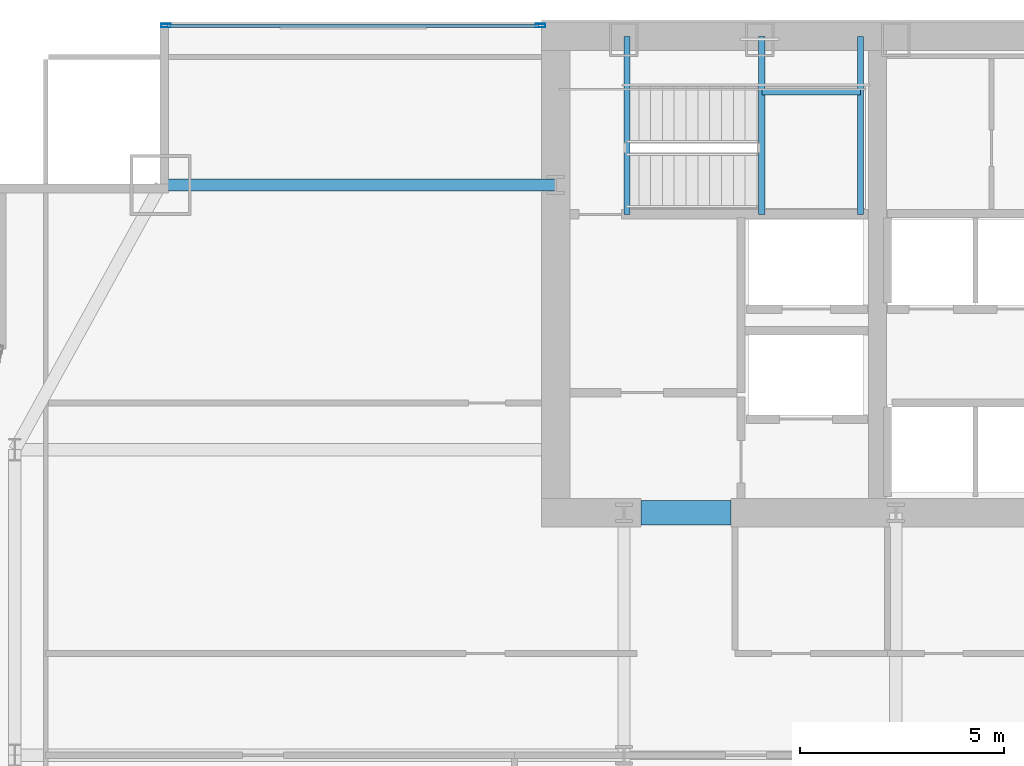
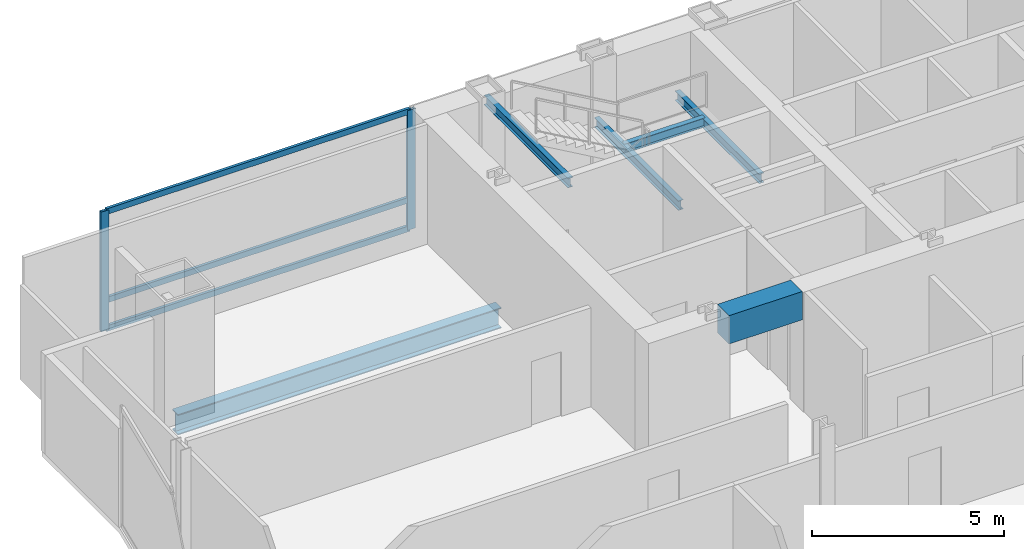
# One storey, part 18 of 34: 6 beams, 5 members, 1 element without a shape of its own.
"""IFC4 building model written with IfcOpenShell, lengths in metres."""

from ifc_helpers import new_model, si_unit, direction, frame, origin, origin_2d, place, context, subcontext, project, spatial, rectangle, hollow_rectangle, i_section, extrude, material, material_profile, profile_set, type_object, element, aggregate, save


model = new_model("IFC4")

# Units and contexts
model_context = context("Model", 3, precision=1e-05, world=origin(), true_north=direction((0.0, 1.0)))
body_context = subcontext(model_context, "Body", "Model", "MODEL_VIEW")
ifc_project = project(units=[si_unit("LENGTHUNIT", "METRE"), si_unit("AREAUNIT", "SQUARE_METRE"), si_unit("VOLUMEUNIT", "CUBIC_METRE"), si_unit("PLANEANGLEUNIT", "RADIAN"), si_unit("MASSUNIT", "GRAM", prefix="KILO")], contexts=[model_context])

# Site, building, storey
site_placement = place(None, origin())
site = spatial("IfcSite", under=ifc_project, at=site_placement, CompositionType="ELEMENT")
building_placement = place(site_placement, origin())
building = spatial("IfcBuilding", under=site, at=building_placement, Name="Khoronbel Lancet Exchange", CompositionType="ELEMENT")
storey_placement = place(building_placement, frame((0.0, 0.0, 102.60009765625)))
storey = spatial("IfcBuildingStorey", under=building, at=storey_placement, Name="L24", CompositionType="ELEMENT", Elevation=102.60009765625)

# Beams
ifc_material_1 = material(Name="Steel S355", Category="steel")
ifc_material_profile_1 = material_profile(ifc_material_1, i_section(OverallWidth=0.14990234375, OverallDepth=0.300048828125, WebThickness=0.007080078125, FlangeThickness=0.0107421875, at=origin_2d()), Name="IPE 300")
ifc_profile_set_1 = profile_set([ifc_material_profile_1], Name="Steel S355")
beam_type_1 = type_object("IfcBeamType", Name="BM-BJ8", PredefinedType="JOIST", material=ifc_profile_set_1)
for number, where, z_axis, x_axis, name in (
    (1, (21.610107421875, 48.97998046875, 1.64990234375), (0.0, 1.0, 0.0), (-1.0, 0.0, 0.0), "Level L24 stair ST1 landing bearer beam 1"),
    (2, (24.030029296875, 48.97998046875, 1.64990234375), (0.0, 1.0, 0.0), (-1.0, 0.0, 0.0), "Level L24 stair ST1 rear landing bearer beam 1"),
):
    element("IfcBeam", number, at=place(storey_placement, frame(where, z_axis=z_axis, x_axis=x_axis)), inside=storey, type_object=beam_type_1, Name=name, PredefinedType="JOIST", context=body_context, shape_type="SweptSolid", body=[
        extrude(i_section(OverallWidth=0.14990234375, OverallDepth=0.300048828125, WebThickness=0.007080078125, FlangeThickness=0.0107421875, at=origin_2d()), origin(), (0.0, 0.0, 1.0), 4.3701171875),
    ])
beam_1_placement = place(storey_placement, frame((21.610107421875, 51.97998046875, 1.64990234375), z_axis=(1.0, 0.0, 0.0), x_axis=(0.0, 1.0, 0.0)))
element("IfcBeam", 3, at=beam_1_placement, inside=storey, type_object=beam_type_1, Name="Level L24 stair ST1 landing cross trimmer beam 1", PredefinedType="JOIST", context=body_context, shape_type="SweptSolid", body=[
    extrude(i_section(OverallWidth=0.14990234375, OverallDepth=0.300048828125, WebThickness=0.007080078125, FlangeThickness=0.0107421875, at=origin_2d()), origin(), (0.0, 0.0, 1.0), 2.419921875),
])
beam_2_placement = place(storey_placement, frame((18.300048828125, 48.97998046875, 3.52001953125), z_axis=(0.0, 1.0, 0.0), x_axis=(-1.0, 0.0, 0.0)))
element("IfcBeam", 4, at=beam_2_placement, inside=storey, type_object=beam_type_1, Name="Level L24 stair ST1 upper-flight arrival trimmer beam", PredefinedType="JOIST", context=body_context, shape_type="SweptSolid", body=[
    extrude(i_section(OverallWidth=0.14990234375, OverallDepth=0.300048828125, WebThickness=0.007080078125, FlangeThickness=0.0107421875, at=origin_2d()), origin(), (0.0, 0.0, 1.0), 4.3701171875),
])
ifc_material_2 = material(Name="Concrete C80/95", Category="concrete")
ifc_material_profile_2 = material_profile(ifc_material_2, rectangle(XDim=0.60009765625, YDim=0.89990234375, at=origin_2d()), Name="RC 600x900")
ifc_profile_set_2 = profile_set([ifc_material_profile_2], Name="Concrete C80/95")
beam_type_2 = type_object("IfcBeamType", Name="BM-BL1", PredefinedType="LINTEL", material=ifc_profile_set_2)
beam_3_placement = place(storey_placement, frame((18.64990234375, 41.64990234375, 3.349853515625), z_axis=(1.0, 0.0, 0.0), x_axis=(0.0, 1.0, 0.0)))
element("IfcBeam", 5, at=beam_3_placement, inside=storey, type_object=beam_type_2, Name="Level L24 rear core coupling lintel L1", PredefinedType="LINTEL", context=body_context, shape_type="SweptSolid", body=[
    extrude(rectangle(XDim=0.60009765625, YDim=0.89990234375, at=origin_2d()), origin(), (0.0, 0.0, 1.0), 2.2001953125),
])
ifc_material_profile_3 = material_profile(ifc_material_1, i_section(OverallWidth=0.300048828125, OverallDepth=0.64990234375, WebThickness=0.01611328125, FlangeThickness=0.031005859375, at=origin_2d()), Name="HEB 650")
ifc_profile_set_3 = profile_set([ifc_material_profile_3], Name="Steel S355")
beam_type_3 = type_object("IfcBeamType", Name="BM-BSP1", PredefinedType="SPANDREL", material=ifc_profile_set_3)
beam_4_placement = place(storey_placement, frame((6.85009765625, 49.699951171875, -0.505126953125), z_axis=(1.0, 0.0, 0.0), x_axis=(0.0, 1.0, 0.0)))
element("IfcBeam", 6, at=beam_4_placement, inside=storey, type_object=beam_type_3, Name="Level L24 north flank tie spandrel SP22", PredefinedType="SPANDREL", context=body_context, shape_type="SweptSolid", body=[
    extrude(i_section(OverallWidth=0.300048828125, OverallDepth=0.64990234375, WebThickness=0.01611328125, FlangeThickness=0.031005859375, at=origin_2d()), origin(), (0.0, 0.0, 1.0), 9.699951171875),
])

# Curtain wall, members
ifc_material_3 = material(Name="Low-E Solar Control Insulating Glass", Category="glass")
curtain_wall_type = type_object("IfcCurtainWallType", Name="CW-2", PredefinedType="NOTDEFINED", material=ifc_material_3)
curtain_wall_placement = place(storey_placement, origin())
curtain_wall = element("IfcCurtainWall", 7, at=curtain_wall_placement, inside=storey, type_object=curtain_wall_type, Name="Unitised curtain wall CW-L24-NWFLK", PredefinedType="NOTDEFINED")
ifc_material_4 = material(Name="Bronze-Anodised Aluminium 6063-T6", Category="aluminium")
ifc_material_profile_4 = material_profile(ifc_material_4, hollow_rectangle(XDim=0.0849609375, YDim=0.239990234375, WallThickness=0.006103515625, at=origin_2d()), Name="ALU MULLION 85x240")
ifc_profile_set_4 = profile_set([ifc_material_profile_4], Name="Bronze-Anodised Aluminium 6063-T6")
member_type_1 = type_object("IfcMemberType", Name="MEM-CWM1", PredefinedType="MULLION", material=ifc_profile_set_4)
member_1_placement = place(storey_placement, frame((16.177490234375, 53.610107421875, 0.0), z_axis=(0.0, 0.0, 1.0), x_axis=(0.0, -1.0, 0.0)))
member_1 = element("IfcMember", 8, at=member_1_placement, type_object=member_type_1, Name="CW2 mullion 1", PredefinedType="MULLION", context=body_context, shape_type="SweptSolid", body=[
    extrude(hollow_rectangle(XDim=0.0849609375, YDim=0.239990234375, WallThickness=0.006103515625, at=origin_2d()), origin(), (0.0, 0.0, 1.0), 3.7998046875),
])
member_2_placement = place(storey_placement, frame((6.982421875, 53.610107421875, 0.0), z_axis=(0.0, 0.0, 1.0), x_axis=(0.0, -1.0, 0.0)))
member_2 = element("IfcMember", 9, at=member_2_placement, type_object=member_type_1, Name="CW2 mullion 2", PredefinedType="MULLION", context=body_context, shape_type="SweptSolid", body=[
    extrude(hollow_rectangle(XDim=0.0849609375, YDim=0.239990234375, WallThickness=0.006103515625, at=origin_2d()), origin(), (0.0, 0.0, 1.0), 3.7998046875),
])
ifc_material_profile_5 = material_profile(ifc_material_4, hollow_rectangle(XDim=0.0849609375, YDim=0.179931640625, WallThickness=0.0048828125, at=origin_2d()), Name="ALU TRANSOM 85x180")
ifc_profile_set_5 = profile_set([ifc_material_profile_5], Name="Bronze-Anodised Aluminium 6063-T6")
member_type_2 = type_object("IfcMemberType", Name="MEM-CWT1", PredefinedType="USERDEFINED", material=ifc_profile_set_5)
member_3_placement = place(storey_placement, frame((16.135009765625, 53.610107421875, 0.04248046875), z_axis=(-1.0, 0.0, 0.0), x_axis=(0.0, -1.0, 0.0)))
member_3 = element("IfcMember", 10, at=member_3_placement, type_object=member_type_2, Name="CW2 transom 1.1", ObjectType="TRANSOM", PredefinedType="USERDEFINED", context=body_context, shape_type="SweptSolid", body=[
    extrude(hollow_rectangle(XDim=0.0849609375, YDim=0.179931640625, WallThickness=0.0048828125, at=origin_2d()), origin(), (0.0, 0.0, 1.0), 9.110107421875),
])
member_4_placement = place(storey_placement, frame((16.135009765625, 53.610107421875, 0.949951171875), z_axis=(-1.0, 0.0, 0.0), x_axis=(0.0, -1.0, 0.0)))
member_4 = element("IfcMember", 11, at=member_4_placement, type_object=member_type_2, Name="CW2 transom 1.2", ObjectType="TRANSOM", PredefinedType="USERDEFINED", context=body_context, shape_type="SweptSolid", body=[
    extrude(hollow_rectangle(XDim=0.0849609375, YDim=0.179931640625, WallThickness=0.0048828125, at=origin_2d()), origin(), (0.0, 0.0, 1.0), 9.110107421875),
])
member_5_placement = place(storey_placement, frame((16.135009765625, 53.610107421875, 3.75732421875), z_axis=(-1.0, 0.0, 0.0), x_axis=(0.0, -1.0, 0.0)))
member_5 = element("IfcMember", 12, at=member_5_placement, type_object=member_type_2, Name="CW2 transom 1.3", ObjectType="TRANSOM", PredefinedType="USERDEFINED", context=body_context, shape_type="SweptSolid", body=[
    extrude(hollow_rectangle(XDim=0.0849609375, YDim=0.179931640625, WallThickness=0.0048828125, at=origin_2d()), origin(), (0.0, 0.0, 1.0), 9.110107421875),
])
aggregate(curtain_wall, [member_1, member_2, member_3, member_4, member_5])

save(model, "model.ifc")
